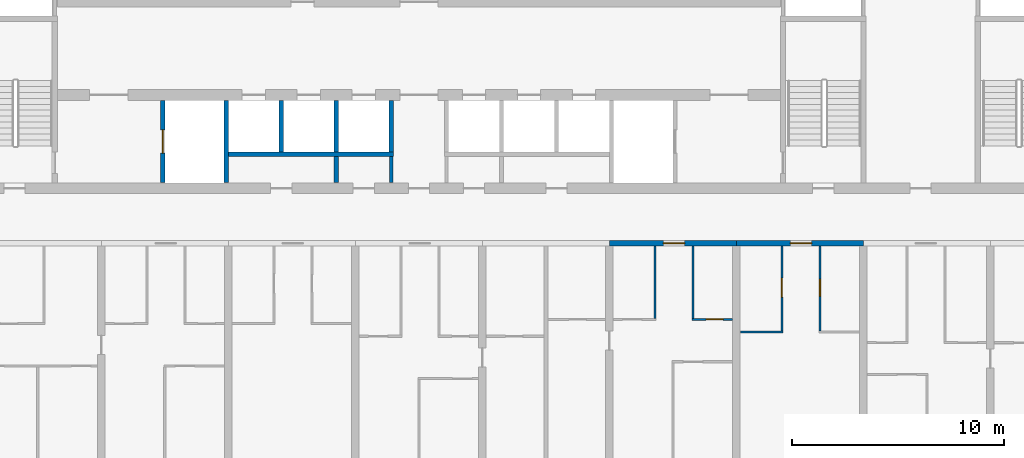
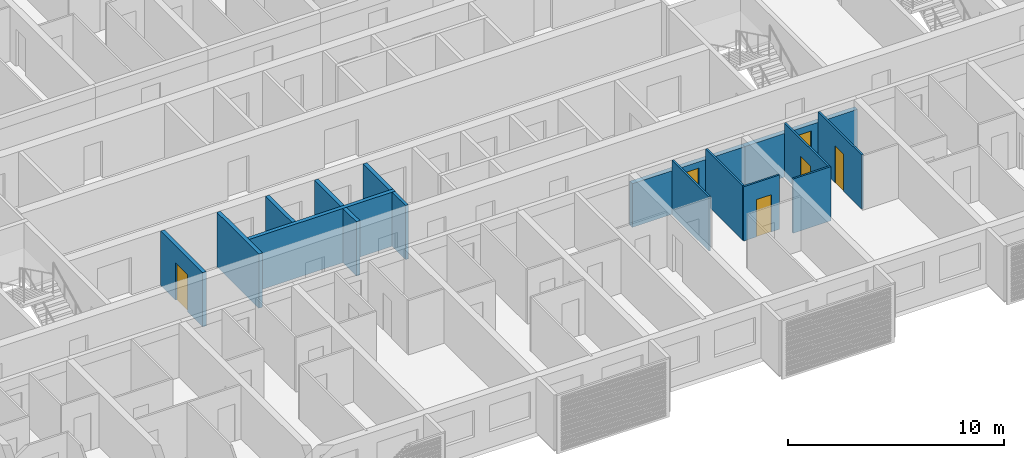
# One storey, part 6 of 26: 16 walls, 6 doors, 6 openings.
"""IFC4 building model written with IfcOpenShell, lengths in metres."""

from ifc_helpers import new_model, si_unit, direction, frame, frame_2d, origin, place, context, subcontext, project, spatial, rectangle, extrude, material, layer, layer_set, type_object, element, fill, save


model = new_model("IFC4")

# Units and contexts
model_context = context("Model", 3, precision=1e-05, world=origin(), true_north=direction((0.0, 1.0)))
body_context = subcontext(model_context, "Body", "Model", "MODEL_VIEW")
ifc_project = project(units=[si_unit("LENGTHUNIT", "METRE"), si_unit("AREAUNIT", "SQUARE_METRE"), si_unit("VOLUMEUNIT", "CUBIC_METRE"), si_unit("PLANEANGLEUNIT", "RADIAN"), si_unit("MASSUNIT", "GRAM", prefix="KILO")], contexts=[model_context])

# Site, building, storey
site_placement = place(None, origin())
site = spatial("IfcSite", under=ifc_project, at=site_placement, CompositionType="ELEMENT")
building_placement = place(site_placement, origin())
building = spatial("IfcBuilding", under=site, at=building_placement, Name="Poui Terraces", CompositionType="ELEMENT")
storey_placement = place(building_placement, frame((0.0, 0.0, 79.5)))
storey = spatial("IfcBuildingStorey", under=building, at=storey_placement, Name="L21", CompositionType="ELEMENT", Elevation=79.5)

# Wall
ifc_material_1 = material(Name="Fire-rated plasterboard wall")
ifc_layer_1 = layer(ifc_material_1, 0.14990234375)
ifc_layer_set_1 = layer_set([ifc_layer_1], Name="Fire-rated plasterboard wall")
wall_type_1 = type_object("IfcWallType", Name="CORRIDOR WALL 150", PredefinedType="PARTITIONING", material=ifc_layer_set_1)
wall_1_placement = place(storey_placement, frame((49.699951171875, 14.860107421875, 0.0), z_axis=(0.0, 0.0, 1.0), x_axis=(0.0, 1.0, 0.0)))
element("IfcWall", 1, at=wall_1_placement, inside=storey, type_object=wall_type_1, Name="CORRIDOR WALL 150", PredefinedType="PARTITIONING", context=body_context, shape_type="SweptSolid", body=[
    extrude(rectangle(XDim=1.239990234375, YDim=0.14990234375, at=frame_2d((0.6201171875, 0.0))), origin(), (0.0, 0.0, 1.0), 3.06005859375),
])

# Wall, opening, door
ifc_material_2 = material(Name="Concrete 65 MPa", Category="concrete")
ifc_layer_2 = layer(ifc_material_2, 0.25)
ifc_layer_set_2 = layer_set([ifc_layer_2], Name="Concrete 65 MPa")
wall_type_2 = type_object("IfcWallType", Name="CORRIDOR WALL 250 65MPa", PredefinedType="SHEAR", material=ifc_layer_set_2)
wall_2_placement = place(storey_placement, frame((60.0, 12.0, 0.0), z_axis=(0.0, 0.0, 1.0), x_axis=(1.0, 0.0, 0.0)))
wall_2 = element("IfcWall", 2, at=wall_2_placement, inside=storey, type_object=wall_type_2, Name="CORRIDOR WALL LINE B BAY 10", PredefinedType="SHEAR", context=body_context, shape_type="SweptSolid", body=[
    extrude(rectangle(XDim=6.0, YDim=0.25, at=frame_2d((3.0, 0.0))), origin(), (0.0, 0.0, 1.0), 2.4599609375),
])
opening_1_placement = place(wall_2_placement, frame((2.550048828125, 0.0, 0.0)))
opening_1 = element("IfcOpeningElement", 3, at=opening_1_placement, cuts=wall_2, Name="Opening FD30S", PredefinedType="OPENING", context=body_context, shape_type="SweptSolid", body=[
    extrude(rectangle(XDim=1.0, YDim=2.10009765625, at=frame_2d((0.5, 1.050048828125))), frame((0.0, 0.135009765625, 0.0), z_axis=(0.0, -1.0, 0.0), x_axis=(1.0, 0.0, 0.0)), (0.0, 0.0, 1.0), 0.27001953125),
])
ifc_material_3 = material(Name="Steel fire door", Category="steel")
door_type_1 = type_object("IfcDoorType", Name="FLAT ENTRANCE DOOR 1000 X 2100", OperationType="NOTDEFINED", PredefinedType="DOOR", material=ifc_material_3)
door_1_placement = place(opening_1_placement, frame((1.0, 0.0, 0.0), z_axis=(0.0, 0.0, 1.0), x_axis=(-1.0, 0.0, 0.0)))
door_1 = element("IfcDoor", 4, at=door_1_placement, inside=storey, type_object=door_type_1, Name="FLAT ENTRANCE DOOR 116", OperationType="SINGLE_SWING_LEFT", OverallHeight=2.10009765625, OverallWidth=1.0, PredefinedType="DOOR", context=body_context, shape_type="SweptSolid", body=[
    extrude(rectangle(XDim=1.0, YDim=2.10009765625, at=frame_2d((0.5, 1.050048828125))), frame((0.0, 0.02490234375, 0.0), z_axis=(0.0, -1.0, 0.0), x_axis=(1.0, 0.0, 0.0)), (0.0, 0.0, 1.0), 0.050048828125),
])
fill(opening_1, door_1)

wall_3_placement = place(storey_placement, frame((66.0, 12.0, 0.0), z_axis=(0.0, 0.0, 1.0), x_axis=(1.0, 0.0, 0.0)))
wall_3 = element("IfcWall", 5, at=wall_3_placement, inside=storey, type_object=wall_type_2, Name="CORRIDOR WALL LINE B BAY 11", PredefinedType="SHEAR", context=body_context, shape_type="SweptSolid", body=[
    extrude(rectangle(XDim=6.0, YDim=0.25, at=frame_2d((3.0, 0.0))), origin(), (0.0, 0.0, 1.0), 2.4599609375),
])
opening_2_placement = place(wall_3_placement, frame((2.550048828125, 0.0, 0.0)))
opening_2 = element("IfcOpeningElement", 6, at=opening_2_placement, cuts=wall_3, Name="Opening FD30S", PredefinedType="OPENING", context=body_context, shape_type="SweptSolid", body=[
    extrude(rectangle(XDim=1.0, YDim=2.10009765625, at=frame_2d((0.5, 1.050048828125))), frame((0.0, 0.135009765625, 0.0), z_axis=(0.0, -1.0, 0.0), x_axis=(1.0, 0.0, 0.0)), (0.0, 0.0, 1.0), 0.27001953125),
])
door_2_placement = place(opening_2_placement, frame((1.0, 0.0, 0.0), z_axis=(0.0, 0.0, 1.0), x_axis=(-1.0, 0.0, 0.0)))
door_2 = element("IfcDoor", 7, at=door_2_placement, inside=storey, type_object=door_type_1, Name="FLAT ENTRANCE DOOR 120", OperationType="SINGLE_SWING_LEFT", OverallHeight=2.10009765625, OverallWidth=1.0, PredefinedType="DOOR", context=body_context, shape_type="SweptSolid", body=[
    extrude(rectangle(XDim=1.0, YDim=2.10009765625, at=frame_2d((0.5, 1.050048828125))), frame((0.0, 0.02490234375, 0.0), z_axis=(0.0, -1.0, 0.0), x_axis=(1.0, 0.0, 0.0)), (0.0, 0.0, 1.0), 0.050048828125),
])
fill(opening_2, door_2)

# Wall
ifc_material_4 = material(Name="Plasterboard partition")
ifc_layer_3 = layer(ifc_material_4, 0.10009765625)
ifc_layer_set_3 = layer_set([ifc_layer_3], Name="Plasterboard partition")
wall_type_3 = type_object("IfcWallType", Name="FLAT PARTITION 100", PredefinedType="PARTITIONING", material=ifc_layer_set_3)
wall_4_placement = place(storey_placement, frame((66.18505859375, 7.800048828125, 0.0), z_axis=(0.0, 0.0, 1.0), x_axis=(1.0, 0.0, 0.0)))
element("IfcWall", 8, at=wall_4_placement, inside=storey, type_object=wall_type_3, Name="FLAT PARTITION 100", PredefinedType="PARTITIONING", context=body_context, shape_type="SweptSolid", body=[
    extrude(rectangle(XDim=2.014892578125, YDim=0.10009765625, at=frame_2d((1.00732421875, 0.0))), origin(), (0.0, 0.0, 1.0), 3.06005859375),
])

# Wall, opening, door
wall_5_placement = place(storey_placement, frame((63.89990234375, 8.39990234375, 0.0), z_axis=(0.0, 0.0, 1.0), x_axis=(1.0, 0.0, 0.0)))
wall_5 = element("IfcWall", 9, at=wall_5_placement, inside=storey, type_object=wall_type_3, Name="FLAT PARTITION 100", PredefinedType="PARTITIONING", context=body_context, shape_type="SweptSolid", body=[
    extrude(rectangle(XDim=1.9150390625, YDim=0.10009765625, at=frame_2d((0.95751953125, 0.0))), origin(), (0.0, 0.0, 1.0), 3.06005859375),
])
opening_3_placement = place(wall_5_placement, frame((0.675048828125, 0.0, 0.0)))
opening_3 = element("IfcOpeningElement", 10, at=opening_3_placement, cuts=wall_5, Name="Opening D80", PredefinedType="OPENING", context=body_context, shape_type="SweptSolid", body=[
    extrude(rectangle(XDim=0.800048828125, YDim=2.10009765625, at=frame_2d((0.39990234375, 1.050048828125))), frame((0.0, 0.06005859375, 0.0), z_axis=(0.0, -1.0, 0.0), x_axis=(1.0, 0.0, 0.0)), (0.0, 0.0, 1.0), 0.1201171875),
])
ifc_material_5 = material(Name="Solid core timber door", Category="wood")
door_type_2 = type_object("IfcDoorType", Name="BATHROOM, LAUNDRY AND STORE DOOR 800 X 2100", OperationType="NOTDEFINED", PredefinedType="DOOR", material=ifc_material_5)
door_3_placement = place(opening_3_placement, origin())
door_3 = element("IfcDoor", 11, at=door_3_placement, inside=storey, type_object=door_type_2, Name="BATHROOM, LAUNDRY AND STORE DOOR 118", OperationType="SINGLE_SWING_LEFT", OverallHeight=2.10009765625, OverallWidth=0.800048828125, PredefinedType="DOOR", context=body_context, shape_type="SweptSolid", body=[
    extrude(rectangle(XDim=0.800048828125, YDim=2.10009765625, at=frame_2d((0.39990234375, 1.050048828125))), frame((0.0, 0.02490234375, 0.0), z_axis=(0.0, -1.0, 0.0), x_axis=(1.0, 0.0, 0.0)), (0.0, 0.0, 1.0), 0.050048828125),
])
fill(opening_3, door_3)

# Walls
for number, where, z_axis, x_axis, name in (
    (12, (62.14990234375, 8.449951171875, 0.0), (0.0, 0.0, 1.0), (0.0, 1.0, 0.0), "FLAT PARTITION 100"),
    (13, (63.949951171875, 8.449951171875, 0.0), (0.0, 0.0, 1.0), (0.0, 1.0, 0.0), "FLAT PARTITION 100"),
):
    element("IfcWall", number, at=place(storey_placement, frame(where, z_axis=z_axis, x_axis=x_axis)), inside=storey, type_object=wall_type_3, Name=name, PredefinedType="PARTITIONING", context=body_context, shape_type="SweptSolid", body=[
        extrude(rectangle(XDim=3.4150390625, YDim=0.10009765625, at=frame_2d((1.70751953125, 0.0))), origin(), (0.0, 0.0, 1.0), 3.06005859375),
    ])

# Wall, opening, door
wall_6_placement = place(storey_placement, frame((68.14990234375, 7.85009765625, 0.0), z_axis=(0.0, 0.0, 1.0), x_axis=(0.0, 1.0, 0.0)))
wall_6 = element("IfcWall", 14, at=wall_6_placement, inside=storey, type_object=wall_type_3, Name="FLAT PARTITION 100", PredefinedType="PARTITIONING", context=body_context, shape_type="SweptSolid", body=[
    extrude(rectangle(XDim=4.014892578125, YDim=0.10009765625, at=frame_2d((2.00732421875, 0.0))), origin(), (0.0, 0.0, 1.0), 3.06005859375),
])
opening_4_placement = place(wall_6_placement, frame((1.60009765625, 0.0, 0.0)))
opening_4 = element("IfcOpeningElement", 15, at=opening_4_placement, cuts=wall_6, Name="Opening D90", PredefinedType="OPENING", context=body_context, shape_type="SweptSolid", body=[
    extrude(rectangle(XDim=0.89990234375, YDim=2.10009765625, at=frame_2d((0.449951171875, 1.050048828125))), frame((0.0, 0.06005859375, 0.0), z_axis=(0.0, -1.0, 0.0), x_axis=(1.0, 0.0, 0.0)), (0.0, 0.0, 1.0), 0.1201171875),
])
door_type_3 = type_object("IfcDoorType", Name="INTERNAL DOOR 900 X 2100", OperationType="NOTDEFINED", PredefinedType="DOOR", material=ifc_material_5)
door_4_placement = place(opening_4_placement, origin())
door_4 = element("IfcDoor", 16, at=door_4_placement, inside=storey, type_object=door_type_3, Name="INTERNAL DOOR 119", OperationType="SINGLE_SWING_RIGHT", OverallHeight=2.10009765625, OverallWidth=0.89990234375, PredefinedType="DOOR", context=body_context, shape_type="SweptSolid", body=[
    extrude(rectangle(XDim=0.89990234375, YDim=2.10009765625, at=frame_2d((0.449951171875, 1.050048828125))), frame((0.0, 0.02490234375, 0.0), z_axis=(0.0, -1.0, 0.0), x_axis=(1.0, 0.0, 0.0)), (0.0, 0.0, 1.0), 0.050048828125),
])
fill(opening_4, door_4)

wall_7_placement = place(storey_placement, frame((69.949951171875, 7.85009765625, 0.0), z_axis=(0.0, 0.0, 1.0), x_axis=(0.0, 1.0, 0.0)))
wall_7 = element("IfcWall", 17, at=wall_7_placement, inside=storey, type_object=wall_type_3, Name="FLAT PARTITION 100", PredefinedType="PARTITIONING", context=body_context, shape_type="SweptSolid", body=[
    extrude(rectangle(XDim=4.014892578125, YDim=0.10009765625, at=frame_2d((2.00732421875, 0.0))), origin(), (0.0, 0.0, 1.0), 3.06005859375),
])
opening_5_placement = place(wall_7_placement, frame((1.64990234375, 0.0, 0.0)))
opening_5 = element("IfcOpeningElement", 18, at=opening_5_placement, cuts=wall_7, Name="Opening D80", PredefinedType="OPENING", context=body_context, shape_type="SweptSolid", body=[
    extrude(rectangle(XDim=0.800048828125, YDim=2.10009765625, at=frame_2d((0.39990234375, 1.050048828125))), frame((0.0, 0.06005859375, 0.0), z_axis=(0.0, -1.0, 0.0), x_axis=(1.0, 0.0, 0.0)), (0.0, 0.0, 1.0), 0.1201171875),
])
door_5_placement = place(opening_5_placement, frame((0.800048828125, 0.0, 0.0), z_axis=(0.0, 0.0, 1.0), x_axis=(-1.0, 0.0, 0.0)))
door_5 = element("IfcDoor", 19, at=door_5_placement, inside=storey, type_object=door_type_2, Name="BATHROOM, LAUNDRY AND STORE DOOR 121", OperationType="SINGLE_SWING_RIGHT", OverallHeight=2.10009765625, OverallWidth=0.800048828125, PredefinedType="DOOR", context=body_context, shape_type="SweptSolid", body=[
    extrude(rectangle(XDim=0.800048828125, YDim=2.10009765625, at=frame_2d((0.39990234375, 1.050048828125))), frame((0.0, 0.02490234375, 0.0), z_axis=(0.0, -1.0, 0.0), x_axis=(1.0, 0.0, 0.0)), (0.0, 0.0, 1.0), 0.050048828125),
])
fill(opening_5, door_5)

# Walls
ifc_material_6 = material(Name="Fire-rated masonry wall", Category="masonry")
ifc_layer_4 = layer(ifc_material_6, 0.199951171875)
ifc_layer_set_4 = layer_set([ifc_layer_4], Name="Fire-rated masonry wall")
wall_type_4 = type_object("IfcWallType", Name="PLANT ROOM WALL 200", PredefinedType="PARTITIONING", material=ifc_layer_set_4)
wall_8_placement = place(storey_placement, frame((47.10009765625, 14.860107421875, 0.0), z_axis=(0.0, 0.0, 1.0), x_axis=(0.0, 1.0, 0.0)))
element("IfcWall", 20, at=wall_8_placement, inside=storey, type_object=wall_type_4, Name="PLANT ROOM WALL 200", PredefinedType="PARTITIONING", context=body_context, shape_type="SweptSolid", body=[
    extrude(rectangle(XDim=1.239990234375, YDim=0.199951171875, at=frame_2d((0.6201171875, 0.0))), origin(), (0.0, 0.0, 1.0), 3.06005859375),
])
ifc_material_7 = material(Name="Fire-rated masonry shaft wall", Category="masonry")
ifc_layer_5 = layer(ifc_material_7, 0.199951171875)
ifc_layer_set_5 = layer_set([ifc_layer_5], Name="Fire-rated masonry shaft wall")
wall_type_5 = type_object("IfcWallType", Name="SHAFT WALL 200", PredefinedType="PARTITIONING", material=ifc_layer_set_5)
wall_9_placement = place(storey_placement, frame((42.0, 16.199951171875, 0.0), z_axis=(0.0, 0.0, 1.0), x_axis=(1.0, 0.0, 0.0)))
element("IfcWall", 21, at=wall_9_placement, inside=storey, type_object=wall_type_5, Name="SHAFT WALL 200", PredefinedType="PARTITIONING", context=body_context, shape_type="SweptSolid", body=[
    extrude(rectangle(XDim=7.800048828125, YDim=0.199951171875, at=frame_2d((3.89990234375, 0.0))), origin(), (0.0, 0.0, 1.0), 3.06005859375),
])

# Wall, opening, door
wall_10_placement = place(storey_placement, frame((38.89990234375, 14.860107421875, 0.0), z_axis=(0.0, 0.0, 1.0), x_axis=(0.0, 1.0, 0.0)))
wall_10 = element("IfcWall", 22, at=wall_10_placement, inside=storey, type_object=wall_type_5, Name="SHAFT WALL 200", PredefinedType="PARTITIONING", context=body_context, shape_type="SweptSolid", body=[
    extrude(rectangle(XDim=3.8798828125, YDim=0.199951171875, at=frame_2d((1.93994140625, 0.0))), origin(), (0.0, 0.0, 1.0), 3.06005859375),
])
opening_6_placement = place(wall_10_placement, frame((1.389892578125, 0.0, 0.0)))
opening_6 = element("IfcOpeningElement", 23, at=opening_6_placement, cuts=wall_10, Name="Opening LD", PredefinedType="OPENING", context=body_context, shape_type="SweptSolid", body=[
    extrude(rectangle(XDim=1.10009765625, YDim=2.10009765625, at=frame_2d((0.550048828125, 1.050048828125))), frame((0.0, 0.10986328125, 0.0), z_axis=(0.0, -1.0, 0.0), x_axis=(1.0, 0.0, 0.0)), (0.0, 0.0, 1.0), 0.219970703125),
])
ifc_material_8 = material(Name="Stainless steel sliding door", Category="steel")
door_type_4 = type_object("IfcDoorType", Name="LIFT LANDING DOOR 1100 X 2100", OperationType="DOUBLE_DOOR_SLIDING", PredefinedType="DOOR", material=ifc_material_8)
door_6_placement = place(opening_6_placement, origin())
door_6 = element("IfcDoor", 24, at=door_6_placement, inside=storey, type_object=door_type_4, Name="LANDING DOOR", OperationType="DOUBLE_DOOR_SLIDING", OverallHeight=2.10009765625, OverallWidth=1.10009765625, PredefinedType="DOOR", context=body_context, shape_type="SweptSolid", body=[
    extrude(rectangle(XDim=1.10009765625, YDim=2.10009765625, at=frame_2d((0.550048828125, 1.050048828125))), frame((0.0, 0.02490234375, 0.0), z_axis=(0.0, -1.0, 0.0), x_axis=(1.0, 0.0, 0.0)), (0.0, 0.0, 1.0), 0.050048828125),
])
fill(opening_6, door_6)

# Walls
wall_11_placement = place(storey_placement, frame((41.89990234375, 14.860107421875, 0.0), z_axis=(0.0, 0.0, 1.0), x_axis=(0.0, 1.0, 0.0)))
element("IfcWall", 25, at=wall_11_placement, inside=storey, type_object=wall_type_5, Name="SHAFT WALL 200", PredefinedType="PARTITIONING", context=body_context, shape_type="SweptSolid", body=[
    extrude(rectangle(XDim=3.8798828125, YDim=0.199951171875, at=frame_2d((1.93994140625, 0.0))), origin(), (0.0, 0.0, 1.0), 3.06005859375),
])
for number, where, z_axis, x_axis, name in (
    (26, (44.5, 16.300048828125, 0.0), (0.0, 0.0, 1.0), (0.0, 1.0, 0.0), "SHAFT WALL 200"),
    (27, (47.10009765625, 16.300048828125, 0.0), (0.0, 0.0, 1.0), (0.0, 1.0, 0.0), "SHAFT WALL 200"),
    (28, (49.699951171875, 16.300048828125, 0.0), (0.0, 0.0, 1.0), (0.0, 1.0, 0.0), "SHAFT WALL 200"),
):
    element("IfcWall", number, at=place(storey_placement, frame(where, z_axis=z_axis, x_axis=x_axis)), inside=storey, type_object=wall_type_5, Name=name, PredefinedType="PARTITIONING", context=body_context, shape_type="SweptSolid", body=[
        extrude(rectangle(XDim=2.43994140625, YDim=0.199951171875, at=frame_2d((1.219970703125, 0.0))), origin(), (0.0, 0.0, 1.0), 3.06005859375),
    ])

save(model, "model.ifc")
